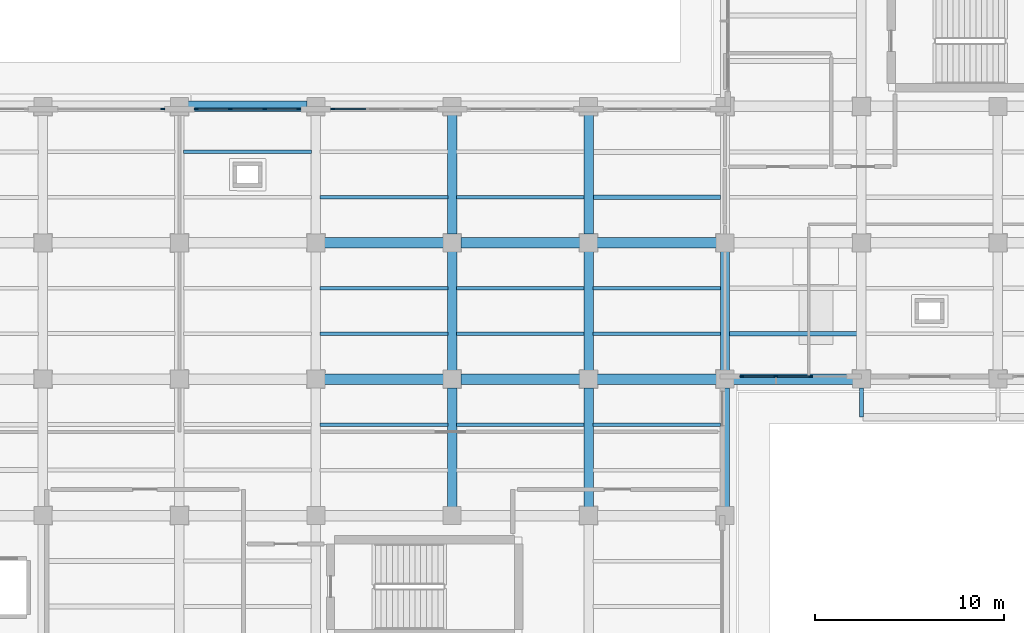
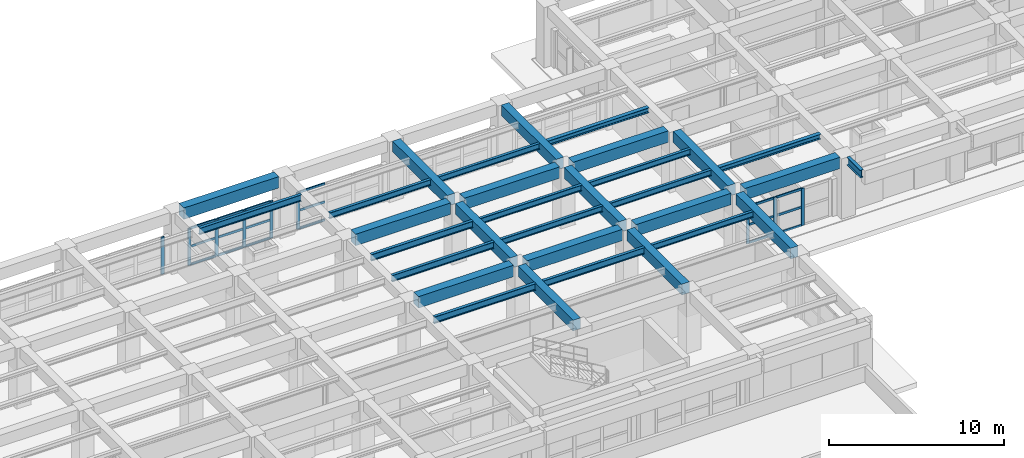
# One storey, part 15 of 64: 31 beams, 27 members, 4 elements without a shape of their own.
"""IFC4 building model written with IfcOpenShell, lengths in metres."""

from ifc_helpers import new_model, si_unit, direction, frame, origin, origin_2d, place, context, subcontext, project, spatial, rectangle, i_section, extrude, material, layer, layer_set, material_profile, profile_set, type_object, element, aggregate, save


model = new_model("IFC4")

# Units and contexts
model_context = context("Model", 3, precision=1e-05, world=origin(), true_north=direction((0.0, 1.0)))
body_context = subcontext(model_context, "Body", "Model", "MODEL_VIEW")
ifc_project = project(units=[si_unit("LENGTHUNIT", "METRE"), si_unit("AREAUNIT", "SQUARE_METRE"), si_unit("VOLUMEUNIT", "CUBIC_METRE"), si_unit("PLANEANGLEUNIT", "RADIAN"), si_unit("MASSUNIT", "GRAM", prefix="KILO")], contexts=[model_context])

# Site, building, storey
site_placement = place(None, origin())
site = spatial("IfcSite", under=ifc_project, at=site_placement, CompositionType="ELEMENT")
building_placement = place(site_placement, origin())
building = spatial("IfcBuilding", under=site, at=building_placement, Name="Solenvale Faculty of Natural Sciences", CompositionType="ELEMENT")
storey_placement = place(building_placement, origin())
storey = spatial("IfcBuildingStorey", under=building, at=storey_placement, Name="L00", CompositionType="ELEMENT", Elevation=0.0)

# Beams
ifc_material_1 = material(Name="Concrete 40 MPa", Category="concrete")
ifc_material_profile_1 = material_profile(ifc_material_1, rectangle(XDim=0.5, YDim=0.75, at=origin_2d()), Name="RC-BM-500x750")
ifc_profile_set_1 = profile_set([ifc_material_profile_1], Name="Concrete 40 MPa")
beam_type_1 = type_object("IfcBeamType", Name="BM-RC-500x750", PredefinedType="BEAM", material=ifc_profile_set_1)
for number, where, z_axis, x_axis, name in (
    (1, (100.800048828125, 29.2548828125, 3.844970703125), (0.0, 1.0, 0.0), (-1.0, 0.0, 0.0), "L00 Y-Girder X100.8 (28.8..36.0)"),
    (2, (100.800048828125, 36.455078125, 3.844970703125), (0.0, 1.0, 0.0), (-1.0, 0.0, 0.0), "L00 Y-Girder X100.8 (36.0..43.2)"),
    (3, (100.800048828125, 43.655029296875, 3.844970703125), (0.0, 1.0, 0.0), (-1.0, 0.0, 0.0), "L00 Y-Girder X100.8 (43.2..50.4)"),
    (4, (108.0, 29.2548828125, 3.844970703125), (0.0, 1.0, 0.0), (-1.0, 0.0, 0.0), "L00 Y-Girder X108.0 (28.8..36.0)"),
    (5, (108.0, 36.455078125, 3.844970703125), (0.0, 1.0, 0.0), (-1.0, 0.0, 0.0), "L00 Y-Girder X108.0 (36.0..43.2)"),
    (6, (108.0, 43.655029296875, 3.844970703125), (0.0, 1.0, 0.0), (-1.0, 0.0, 0.0), "L00 Y-Girder X108.0 (43.2..50.4)"),
    (7, (115.199951171875, 29.2548828125, 3.844970703125), (0.0, 1.0, 0.0), (-1.0, 0.0, 0.0), "L00 Y-Girder X115.2 (28.8..36.0)"),
    (8, (115.199951171875, 36.455078125, 3.844970703125), (0.0, 1.0, 0.0), (-1.0, 0.0, 0.0), "L00 Y-Girder X115.2 (36.0..43.2)"),
):
    element("IfcBeam", number, at=place(storey_placement, frame(where, z_axis=z_axis, x_axis=x_axis)), inside=storey, type_object=beam_type_1, Name=name, PredefinedType="BEAM", context=body_context, shape_type="SweptSolid", body=[
        extrude(rectangle(XDim=0.5, YDim=0.75, at=origin_2d()), origin(), (0.0, 0.0, 1.0), 6.2900390625),
    ])
ifc_material_profile_2 = material_profile(ifc_material_1, rectangle(XDim=0.550048828125, YDim=0.800048828125, at=origin_2d()), Name="RC-BM-550x800")
ifc_profile_set_2 = profile_set([ifc_material_profile_2], Name="Concrete 40 MPa")
beam_type_2 = type_object("IfcBeamType", Name="BM-RC-550x800", PredefinedType="BEAM", material=ifc_profile_set_2)
for number, where, z_axis, x_axis, name in (
    (9, (94.054931640625, 36.0, 3.820068359375), (1.0, 0.0, 0.0), (0.0, 1.0, 0.0), "L00 X-Girder Y36.0 (93.6..100.8)"),
    (10, (101.2548828125, 36.0, 3.820068359375), (1.0, 0.0, 0.0), (0.0, 1.0, 0.0), "L00 X-Girder Y36.0 (100.8..108.0)"),
    (11, (108.455078125, 36.0, 3.820068359375), (1.0, 0.0, 0.0), (0.0, 1.0, 0.0), "L00 X-Girder Y36.0 (108.0..115.2)"),
    (12, (115.655029296875, 36.0, 3.820068359375), (1.0, 0.0, 0.0), (0.0, 1.0, 0.0), "L00 X-Girder Y36.0 (115.2..122.4)"),
    (13, (94.054931640625, 43.199951171875, 3.820068359375), (1.0, 0.0, 0.0), (0.0, 1.0, 0.0), "L00 X-Girder Y43.2 (93.6..100.8)"),
    (14, (101.2548828125, 43.199951171875, 3.820068359375), (1.0, 0.0, 0.0), (0.0, 1.0, 0.0), "L00 X-Girder Y43.2 (100.8..108.0)"),
    (15, (108.455078125, 43.199951171875, 3.820068359375), (1.0, 0.0, 0.0), (0.0, 1.0, 0.0), "L00 X-Girder Y43.2 (108.0..115.2)"),
    (16, (86.85498046875, 50.39990234375, 3.820068359375), (1.0, 0.0, 0.0), (0.0, 1.0, 0.0), "L00 X-Girder Y50.4 (86.4..93.6)"),
):
    element("IfcBeam", number, at=place(storey_placement, frame(where, z_axis=z_axis, x_axis=x_axis)), inside=storey, type_object=beam_type_2, Name=name, PredefinedType="BEAM", context=body_context, shape_type="SweptSolid", body=[
        extrude(rectangle(XDim=0.550048828125, YDim=0.800048828125, at=origin_2d()), origin(), (0.0, 0.0, 1.0), 6.2900390625),
    ])
ifc_material_2 = material(Name="Steel S355", Category="steel")
ifc_material_profile_3 = material_profile(ifc_material_2, i_section(OverallWidth=0.2548828125, OverallDepth=0.35693359375, WebThickness=0.010498046875, FlangeThickness=0.018310546875, FilletRadius=0.014892578125, at=origin_2d()), Name="W360x101")
ifc_profile_set_3 = profile_set([ifc_material_profile_3], Name="Steel S355")
beam_type_3 = type_object("IfcBeamType", Name="BM-STL-W360x101", PredefinedType="JOIST", material=ifc_profile_set_3)
for number, where, z_axis, x_axis, name in (
    (17, (108.22998046875, 45.60009765625, 4.04150390625), (1.0, 0.0, 0.0), (0.0, 1.0, 0.0), "L00 Composite Floor Joist (16,7).1"),
    (18, (115.429931640625, 38.39990234375, 4.04150390625), (1.0, 0.0, 0.0), (0.0, 1.0, 0.0), "L00 Composite Floor Joist (17,6).1"),
):
    element("IfcBeam", number, at=place(storey_placement, frame(where, z_axis=z_axis, x_axis=x_axis)), inside=storey, type_object=beam_type_3, Name=name, PredefinedType="JOIST", context=body_context, shape_type="SweptSolid", body=[
        extrude(i_section(OverallWidth=0.2548828125, OverallDepth=0.35693359375, WebThickness=0.010498046875, FlangeThickness=0.018310546875, FilletRadius=0.014892578125, at=origin_2d()), origin(), (0.0, 0.0, 1.0), 6.739990234375),
    ])
ifc_material_profile_4 = material_profile(ifc_material_2, i_section(OverallWidth=0.178955078125, OverallDepth=0.409912109375, WebThickness=0.0087890625, FlangeThickness=0.014404296875, FilletRadius=0.01611328125, at=origin_2d()), Name="W410x67")
ifc_profile_set_4 = profile_set([ifc_material_profile_4], Name="Steel S355")
beam_type_4 = type_object("IfcBeamType", Name="BM-STL-W410x67", PredefinedType="JOIST", material=ifc_profile_set_4)
for number, where, z_axis, x_axis, name in (
    (19, (101.030029296875, 45.60009765625, 4.014892578125), (1.0, 0.0, 0.0), (0.0, 1.0, 0.0), "L00 Composite Floor Joist (15,7).1"),
    (20, (108.22998046875, 38.39990234375, 4.014892578125), (1.0, 0.0, 0.0), (0.0, 1.0, 0.0), "L00 Composite Floor Joist (16,6).1"),
    (21, (108.22998046875, 40.800048828125, 4.014892578125), (1.0, 0.0, 0.0), (0.0, 1.0, 0.0), "L00 Composite Floor Joist (16,6).2"),
):
    element("IfcBeam", number, at=place(storey_placement, frame(where, z_axis=z_axis, x_axis=x_axis)), inside=storey, type_object=beam_type_4, Name=name, PredefinedType="JOIST", context=body_context, shape_type="SweptSolid", body=[
        extrude(i_section(OverallWidth=0.178955078125, OverallDepth=0.409912109375, WebThickness=0.0087890625, FlangeThickness=0.014404296875, FilletRadius=0.01611328125, at=origin_2d()), origin(), (0.0, 0.0, 1.0), 6.739990234375),
    ])
ifc_material_profile_5 = material_profile(ifc_material_2, i_section(OverallWidth=0.180908203125, OverallDepth=0.4169921875, WebThickness=0.010986328125, FlangeThickness=0.018310546875, FilletRadius=0.01611328125, at=origin_2d()), Name="W410x85")
ifc_profile_set_5 = profile_set([ifc_material_profile_5], Name="Steel S355")
beam_type_5 = type_object("IfcBeamType", Name="BM-STL-W410x85", PredefinedType="JOIST", material=ifc_profile_set_5)
for number, where, z_axis, x_axis, name in (
    (22, (93.830078125, 45.60009765625, 4.011474609375), (1.0, 0.0, 0.0), (0.0, 1.0, 0.0), "L00 Composite Floor Joist (14,7).1"),
    (23, (101.030029296875, 38.39990234375, 4.011474609375), (1.0, 0.0, 0.0), (0.0, 1.0, 0.0), "L00 Composite Floor Joist (15,6).1"),
    (24, (101.030029296875, 40.800048828125, 4.011474609375), (1.0, 0.0, 0.0), (0.0, 1.0, 0.0), "L00 Composite Floor Joist (15,6).2"),
    (25, (108.22998046875, 33.60009765625, 4.011474609375), (1.0, 0.0, 0.0), (0.0, 1.0, 0.0), "L00 Composite Floor Joist (16,5).2"),
):
    element("IfcBeam", number, at=place(storey_placement, frame(where, z_axis=z_axis, x_axis=x_axis)), inside=storey, type_object=beam_type_5, Name=name, PredefinedType="JOIST", context=body_context, shape_type="SweptSolid", body=[
        extrude(i_section(OverallWidth=0.180908203125, OverallDepth=0.4169921875, WebThickness=0.010986328125, FlangeThickness=0.018310546875, FilletRadius=0.01611328125, at=origin_2d()), origin(), (0.0, 0.0, 1.0), 6.739990234375),
    ])
ifc_material_profile_6 = material_profile(ifc_material_2, i_section(OverallWidth=0.194091796875, OverallDepth=0.468994140625, WebThickness=0.0126953125, FlangeThickness=0.0205078125, FilletRadius=0.01806640625, at=origin_2d()), Name="W460x106")
ifc_profile_set_6 = profile_set([ifc_material_profile_6], Name="Steel S355")
beam_type_6 = type_object("IfcBeamType", Name="BM-STL-W460x106", PredefinedType="JOIST", material=ifc_profile_set_6)
beam_1_placement = place(storey_placement, frame((93.830078125, 33.60009765625, 3.985595703125), z_axis=(1.0, 0.0, 0.0), x_axis=(0.0, 1.0, 0.0)))
element("IfcBeam", 26, at=beam_1_placement, inside=storey, type_object=beam_type_6, Name="L00 Composite Floor Joist (14,5).2", PredefinedType="JOIST", context=body_context, shape_type="SweptSolid", body=[
    extrude(i_section(OverallWidth=0.194091796875, OverallDepth=0.468994140625, WebThickness=0.0126953125, FlangeThickness=0.0205078125, FilletRadius=0.01806640625, at=origin_2d()), origin(), (0.0, 0.0, 1.0), 6.739990234375),
])
ifc_material_profile_7 = material_profile(ifc_material_2, i_section(OverallWidth=0.19091796875, OverallDepth=0.4599609375, WebThickness=0.010009765625, FlangeThickness=0.01611328125, FilletRadius=0.01806640625, at=origin_2d()), Name="W460x82")
ifc_profile_set_7 = profile_set([ifc_material_profile_7], Name="Steel S355")
beam_type_7 = type_object("IfcBeamType", Name="BM-STL-W460x82", PredefinedType="JOIST", material=ifc_profile_set_7)
beam_2_placement = place(storey_placement, frame((86.6298828125, 48.0, 3.989990234375), z_axis=(1.0, 0.0, 0.0), x_axis=(0.0, 1.0, 0.0)))
element("IfcBeam", 27, at=beam_2_placement, inside=storey, type_object=beam_type_7, Name="L00 Composite Floor Joist (13,7).2", PredefinedType="JOIST", context=body_context, shape_type="SweptSolid", body=[
    extrude(i_section(OverallWidth=0.19091796875, OverallDepth=0.4599609375, WebThickness=0.010009765625, FlangeThickness=0.01611328125, FilletRadius=0.01806640625, at=origin_2d()), origin(), (0.0, 0.0, 1.0), 6.740234375),
])
for number, where, z_axis, x_axis, name in (
    (28, (93.830078125, 38.39990234375, 3.989990234375), (1.0, 0.0, 0.0), (0.0, 1.0, 0.0), "L00 Composite Floor Joist (14,6).1"),
    (29, (93.830078125, 40.800048828125, 3.989990234375), (1.0, 0.0, 0.0), (0.0, 1.0, 0.0), "L00 Composite Floor Joist (14,6).2"),
    (30, (101.030029296875, 33.60009765625, 3.989990234375), (1.0, 0.0, 0.0), (0.0, 1.0, 0.0), "L00 Composite Floor Joist (15,5).2"),
):
    element("IfcBeam", number, at=place(storey_placement, frame(where, z_axis=z_axis, x_axis=x_axis)), inside=storey, type_object=beam_type_7, Name=name, PredefinedType="JOIST", context=body_context, shape_type="SweptSolid", body=[
        extrude(i_section(OverallWidth=0.19091796875, OverallDepth=0.4599609375, WebThickness=0.010009765625, FlangeThickness=0.01611328125, FilletRadius=0.01806640625, at=origin_2d()), origin(), (0.0, 0.0, 1.0), 6.739990234375),
    ])
ifc_material_profile_8 = material_profile(ifc_material_2, i_section(OverallWidth=0.2119140625, OverallDepth=0.5439453125, WebThickness=0.01318359375, FlangeThickness=0.021240234375, FilletRadius=0.01904296875, at=origin_2d()), Name="W530x123")
ifc_profile_set_8 = profile_set([ifc_material_profile_8], Name="Steel S355")
beam_type_8 = type_object("IfcBeamType", Name="BM-STL-W530x123", PredefinedType="BEAM", material=ifc_profile_set_8)
beam_3_placement = place(storey_placement, frame((122.39990234375, 35.544921875, 3.947998046875), z_axis=(0.0, -1.0, 0.0), x_axis=(1.0, 0.0, 0.0)))
element("IfcBeam", 31, at=beam_3_placement, inside=storey, type_object=beam_type_8, Name="L00 V2 Cantilever Tray Girder X122.4", PredefinedType="BEAM", context=body_context, shape_type="SweptSolid", body=[
    extrude(i_section(OverallWidth=0.2119140625, OverallDepth=0.5439453125, WebThickness=0.01318359375, FlangeThickness=0.021240234375, FilletRadius=0.01904296875, at=origin_2d()), origin(), (0.0, 0.0, 1.0), 1.544921875),
])

# Curtain wall, members
ifc_material_3 = material(Name="Anodised bronze aluminium", Category="aluminium")
ifc_layer_1 = layer(ifc_material_3, 0.199951171875)
ifc_layer_set_1 = layer_set([ifc_layer_1], Name="Anodised bronze aluminium")
curtain_wall_type_1 = type_object("IfcCurtainWallType", Name="CW-COM-FIN", PredefinedType="USERDEFINED", material=ifc_layer_set_1)
curtain_wall_1_placement = place(storey_placement, origin())
curtain_wall_1 = element("IfcCurtainWall", 32, at=curtain_wall_1_placement, inside=storey, type_object=curtain_wall_type_1, Name="L00 Curtain Wall CW-L00-P1-E5-B1", ObjectType="UNITISED CURTAIN WALL", PredefinedType="USERDEFINED")
ifc_material_profile_9 = material_profile(ifc_material_3, rectangle(XDim=0.074951171875, YDim=0.2099609375, at=origin_2d()), Name="ALU-MUL-75x210")
ifc_profile_set_9 = profile_set([ifc_material_profile_9], Name="Anodised bronze aluminium")
member_type_1 = type_object("IfcMemberType", Name="CWM-ALU-75x210", PredefinedType="MULLION", material=ifc_profile_set_9)
member_1_placement = place(storey_placement, frame((116.08740234375, 36.142578125, 0.0), z_axis=(0.0, 0.0, 1.0), x_axis=(0.0, 1.0, 0.0)))
member_1 = element("IfcMember", 33, at=member_1_placement, type_object=member_type_1, Name="CW-03 mullion 1", PredefinedType="MULLION", context=body_context, shape_type="SweptSolid", body=[
    extrude(rectangle(XDim=0.074951171875, YDim=0.2099609375, at=origin_2d()), origin(), (0.0, 0.0, 1.0), 2.60009765625),
])
member_2_placement = place(storey_placement, frame((117.88330078125, 36.142578125, 0.0), z_axis=(0.0, 0.0, 1.0), x_axis=(0.0, 1.0, 0.0)))
member_2 = element("IfcMember", 34, at=member_2_placement, type_object=member_type_1, Name="CW-03 mullion 2", PredefinedType="MULLION", context=body_context, shape_type="SweptSolid", body=[
    extrude(rectangle(XDim=0.074951171875, YDim=0.2099609375, at=origin_2d()), origin(), (0.0, 0.0, 1.0), 2.60009765625),
])
member_3_placement = place(storey_placement, frame((119.716552734375, 36.142578125, 0.0), z_axis=(0.0, 0.0, 1.0), x_axis=(0.0, 1.0, 0.0)))
member_3 = element("IfcMember", 35, at=member_3_placement, type_object=member_type_1, Name="CW-03 mullion 3", PredefinedType="MULLION", context=body_context, shape_type="SweptSolid", body=[
    extrude(rectangle(XDim=0.074951171875, YDim=0.2099609375, at=origin_2d()), origin(), (0.0, 0.0, 1.0), 2.60009765625),
])

# Curtain wall, member
ifc_layer_2 = layer(ifc_material_3, 0.179931640625)
ifc_layer_set_2 = layer_set([ifc_layer_2], Name="Anodised bronze aluminium")
curtain_wall_type_2 = type_object("IfcCurtainWallType", Name="CW-TWR-MOD", PredefinedType="USERDEFINED", material=ifc_layer_set_2)
curtain_wall_2_placement = place(storey_placement, origin())
curtain_wall_2 = element("IfcCurtainWall", 36, at=curtain_wall_2_placement, inside=storey, type_object=curtain_wall_type_2, Name="L00 Curtain Wall CW-L00-P1-E9-B3", ObjectType="UNITISED CURTAIN WALL", PredefinedType="USERDEFINED")
member_4_placement = place(storey_placement, frame((94.487548828125, 50.257568359375, 0.0), z_axis=(0.0, 0.0, 1.0), x_axis=(0.0, -1.0, 0.0)))
member_4 = element("IfcMember", 37, at=member_4_placement, type_object=member_type_1, Name="CW-04 mullion 4", PredefinedType="MULLION", context=body_context, shape_type="SweptSolid", body=[
    extrude(rectangle(XDim=0.074951171875, YDim=0.2099609375, at=origin_2d()), origin(), (0.0, 0.0, 1.0), 2.60009765625),
])

# Curtain wall, members
curtain_wall_3_placement = place(storey_placement, origin())
curtain_wall_3 = element("IfcCurtainWall", 38, at=curtain_wall_3_placement, inside=storey, type_object=curtain_wall_type_2, Name="L00 Curtain Wall CW-L00-P1-E9-B4", ObjectType="UNITISED CURTAIN WALL", PredefinedType="USERDEFINED")
member_5_placement = place(storey_placement, frame((92.71240234375, 50.257568359375, 0.0), z_axis=(0.0, 0.0, 1.0), x_axis=(0.0, -1.0, 0.0)))
member_5 = element("IfcMember", 39, at=member_5_placement, type_object=member_type_1, Name="CW-04 mullion 1", PredefinedType="MULLION", context=body_context, shape_type="SweptSolid", body=[
    extrude(rectangle(XDim=0.074951171875, YDim=0.2099609375, at=origin_2d()), origin(), (0.0, 0.0, 1.0), 2.60009765625),
])
member_6_placement = place(storey_placement, frame((90.916748046875, 50.257568359375, 0.0), z_axis=(0.0, 0.0, 1.0), x_axis=(0.0, -1.0, 0.0)))
member_6 = element("IfcMember", 40, at=member_6_placement, type_object=member_type_1, Name="CW-04 mullion 2", PredefinedType="MULLION", context=body_context, shape_type="SweptSolid", body=[
    extrude(rectangle(XDim=0.074951171875, YDim=0.2099609375, at=origin_2d()), origin(), (0.0, 0.0, 1.0), 2.60009765625),
])
member_7_placement = place(storey_placement, frame((89.083251953125, 50.257568359375, 0.0), z_axis=(0.0, 0.0, 1.0), x_axis=(0.0, -1.0, 0.0)))
member_7 = element("IfcMember", 41, at=member_7_placement, type_object=member_type_1, Name="CW-04 mullion 3", PredefinedType="MULLION", context=body_context, shape_type="SweptSolid", body=[
    extrude(rectangle(XDim=0.074951171875, YDim=0.2099609375, at=origin_2d()), origin(), (0.0, 0.0, 1.0), 2.60009765625),
])
member_8_placement = place(storey_placement, frame((87.28759765625, 50.257568359375, 0.0), z_axis=(0.0, 0.0, 1.0), x_axis=(0.0, -1.0, 0.0)))
member_8 = element("IfcMember", 42, at=member_8_placement, type_object=member_type_1, Name="CW-04 mullion 4", PredefinedType="MULLION", context=body_context, shape_type="SweptSolid", body=[
    extrude(rectangle(XDim=0.074951171875, YDim=0.2099609375, at=origin_2d()), origin(), (0.0, 0.0, 1.0), 2.60009765625),
])

# Curtain wall, member
curtain_wall_4_placement = place(storey_placement, origin())
curtain_wall_4 = element("IfcCurtainWall", 43, at=curtain_wall_4_placement, inside=storey, type_object=curtain_wall_type_2, Name="L00 Curtain Wall CW-L00-P1-E9-B5", ObjectType="UNITISED CURTAIN WALL", PredefinedType="USERDEFINED")
member_9_placement = place(storey_placement, frame((85.512451171875, 50.257568359375, 0.0), z_axis=(0.0, 0.0, 1.0), x_axis=(0.0, -1.0, 0.0)))
member_9 = element("IfcMember", 44, at=member_9_placement, type_object=member_type_1, Name="CW-04 mullion 1", PredefinedType="MULLION", context=body_context, shape_type="SweptSolid", body=[
    extrude(rectangle(XDim=0.074951171875, YDim=0.2099609375, at=origin_2d()), origin(), (0.0, 0.0, 1.0), 2.60009765625),
])
aggregate(curtain_wall_4, [member_9])

# Member
ifc_material_profile_10 = material_profile(ifc_material_3, rectangle(XDim=0.074951171875, YDim=0.155029296875, at=origin_2d()), Name="ALU-TRN-75x155")
ifc_profile_set_10 = profile_set([ifc_material_profile_10], Name="Anodised bronze aluminium")
member_type_2 = type_object("IfcMemberType", Name="CWT-ALU-75x155", PredefinedType="USERDEFINED", material=ifc_profile_set_10)
member_10_placement = place(storey_placement, frame((116.125, 36.142578125, 0.03759765625), z_axis=(1.0, 0.0, 0.0), x_axis=(0.0, 1.0, 0.0)))
member_10 = element("IfcMember", 45, at=member_10_placement, type_object=member_type_2, Name="CW-03 transom 1.1", ObjectType="TRANSOM", PredefinedType="USERDEFINED", context=body_context, shape_type="SweptSolid", body=[
    extrude(rectangle(XDim=0.074951171875, YDim=0.155029296875, at=origin_2d()), origin(), (0.0, 0.0, 1.0), 1.720947265625),
])

member_11_placement = place(storey_placement, frame((116.125, 36.142578125, 1.300048828125), z_axis=(1.0, 0.0, 0.0), x_axis=(0.0, 1.0, 0.0)))
member_11 = element("IfcMember", 46, at=member_11_placement, type_object=member_type_2, Name="CW-03 transom 1.2", ObjectType="TRANSOM", PredefinedType="USERDEFINED", context=body_context, shape_type="SweptSolid", body=[
    extrude(rectangle(XDim=0.074951171875, YDim=0.155029296875, at=origin_2d()), origin(), (0.0, 0.0, 1.0), 1.720947265625),
])

member_12_placement = place(storey_placement, frame((116.125, 36.142578125, 2.5625), z_axis=(1.0, 0.0, 0.0), x_axis=(0.0, 1.0, 0.0)))
member_12 = element("IfcMember", 47, at=member_12_placement, type_object=member_type_2, Name="CW-03 transom 1.3", ObjectType="TRANSOM", PredefinedType="USERDEFINED", context=body_context, shape_type="SweptSolid", body=[
    extrude(rectangle(XDim=0.074951171875, YDim=0.155029296875, at=origin_2d()), origin(), (0.0, 0.0, 1.0), 1.720947265625),
])

member_13_placement = place(storey_placement, frame((117.9208984375, 36.142578125, 0.03759765625), z_axis=(1.0, 0.0, 0.0), x_axis=(0.0, 1.0, 0.0)))
member_13 = element("IfcMember", 48, at=member_13_placement, type_object=member_type_2, Name="CW-03 transom 2.1", ObjectType="TRANSOM", PredefinedType="USERDEFINED", context=body_context, shape_type="SweptSolid", body=[
    extrude(rectangle(XDim=0.074951171875, YDim=0.155029296875, at=origin_2d()), origin(), (0.0, 0.0, 1.0), 1.75830078125),
])

member_14_placement = place(storey_placement, frame((117.9208984375, 36.142578125, 1.300048828125), z_axis=(1.0, 0.0, 0.0), x_axis=(0.0, 1.0, 0.0)))
member_14 = element("IfcMember", 49, at=member_14_placement, type_object=member_type_2, Name="CW-03 transom 2.2", ObjectType="TRANSOM", PredefinedType="USERDEFINED", context=body_context, shape_type="SweptSolid", body=[
    extrude(rectangle(XDim=0.074951171875, YDim=0.155029296875, at=origin_2d()), origin(), (0.0, 0.0, 1.0), 1.75830078125),
])

member_15_placement = place(storey_placement, frame((117.9208984375, 36.142578125, 2.5625), z_axis=(1.0, 0.0, 0.0), x_axis=(0.0, 1.0, 0.0)))
member_15 = element("IfcMember", 50, at=member_15_placement, type_object=member_type_2, Name="CW-03 transom 2.3", ObjectType="TRANSOM", PredefinedType="USERDEFINED", context=body_context, shape_type="SweptSolid", body=[
    extrude(rectangle(XDim=0.074951171875, YDim=0.155029296875, at=origin_2d()), origin(), (0.0, 0.0, 1.0), 1.75830078125),
])

aggregate(curtain_wall_1, [member_1, member_2, member_3, member_10, member_11, member_12, member_13, member_14, member_15])

member_16_placement = place(storey_placement, frame((96.245849609375, 50.257568359375, 0.03759765625), z_axis=(-1.0, 0.0, 0.0), x_axis=(0.0, -1.0, 0.0)))
member_16 = element("IfcMember", 51, at=member_16_placement, type_object=member_type_2, Name="CW-04 transom 3.1", ObjectType="TRANSOM", PredefinedType="USERDEFINED", context=body_context, shape_type="SweptSolid", body=[
    extrude(rectangle(XDim=0.074951171875, YDim=0.155029296875, at=origin_2d()), origin(), (0.0, 0.0, 1.0), 1.720947265625),
])

member_17_placement = place(storey_placement, frame((96.245849609375, 50.257568359375, 1.300048828125), z_axis=(-1.0, 0.0, 0.0), x_axis=(0.0, -1.0, 0.0)))
member_17 = element("IfcMember", 52, at=member_17_placement, type_object=member_type_2, Name="CW-04 transom 3.2", ObjectType="TRANSOM", PredefinedType="USERDEFINED", context=body_context, shape_type="SweptSolid", body=[
    extrude(rectangle(XDim=0.074951171875, YDim=0.155029296875, at=origin_2d()), origin(), (0.0, 0.0, 1.0), 1.720947265625),
])

member_18_placement = place(storey_placement, frame((96.245849609375, 50.257568359375, 2.5625), z_axis=(-1.0, 0.0, 0.0), x_axis=(0.0, -1.0, 0.0)))
member_18 = element("IfcMember", 53, at=member_18_placement, type_object=member_type_2, Name="CW-04 transom 3.3", ObjectType="TRANSOM", PredefinedType="USERDEFINED", context=body_context, shape_type="SweptSolid", body=[
    extrude(rectangle(XDim=0.074951171875, YDim=0.155029296875, at=origin_2d()), origin(), (0.0, 0.0, 1.0), 1.720947265625),
])

aggregate(curtain_wall_2, [member_4, member_16, member_17, member_18])

member_19_placement = place(storey_placement, frame((92.675048828125, 50.257568359375, 0.03759765625), z_axis=(-1.0, 0.0, 0.0), x_axis=(0.0, -1.0, 0.0)))
member_19 = element("IfcMember", 54, at=member_19_placement, type_object=member_type_2, Name="CW-04 transom 1.1", ObjectType="TRANSOM", PredefinedType="USERDEFINED", context=body_context, shape_type="SweptSolid", body=[
    extrude(rectangle(XDim=0.074951171875, YDim=0.155029296875, at=origin_2d()), origin(), (0.0, 0.0, 1.0), 1.720947265625),
])

member_20_placement = place(storey_placement, frame((92.675048828125, 50.257568359375, 1.300048828125), z_axis=(-1.0, 0.0, 0.0), x_axis=(0.0, -1.0, 0.0)))
member_20 = element("IfcMember", 55, at=member_20_placement, type_object=member_type_2, Name="CW-04 transom 1.2", ObjectType="TRANSOM", PredefinedType="USERDEFINED", context=body_context, shape_type="SweptSolid", body=[
    extrude(rectangle(XDim=0.074951171875, YDim=0.155029296875, at=origin_2d()), origin(), (0.0, 0.0, 1.0), 1.720947265625),
])

member_21_placement = place(storey_placement, frame((92.675048828125, 50.257568359375, 2.5625), z_axis=(-1.0, 0.0, 0.0), x_axis=(0.0, -1.0, 0.0)))
member_21 = element("IfcMember", 56, at=member_21_placement, type_object=member_type_2, Name="CW-04 transom 1.3", ObjectType="TRANSOM", PredefinedType="USERDEFINED", context=body_context, shape_type="SweptSolid", body=[
    extrude(rectangle(XDim=0.074951171875, YDim=0.155029296875, at=origin_2d()), origin(), (0.0, 0.0, 1.0), 1.720947265625),
])

member_22_placement = place(storey_placement, frame((90.879150390625, 50.257568359375, 0.03759765625), z_axis=(-1.0, 0.0, 0.0), x_axis=(0.0, -1.0, 0.0)))
member_22 = element("IfcMember", 57, at=member_22_placement, type_object=member_type_2, Name="CW-04 transom 2.1", ObjectType="TRANSOM", PredefinedType="USERDEFINED", context=body_context, shape_type="SweptSolid", body=[
    extrude(rectangle(XDim=0.074951171875, YDim=0.155029296875, at=origin_2d()), origin(), (0.0, 0.0, 1.0), 1.75830078125),
])

member_23_placement = place(storey_placement, frame((90.879150390625, 50.257568359375, 1.300048828125), z_axis=(-1.0, 0.0, 0.0), x_axis=(0.0, -1.0, 0.0)))
member_23 = element("IfcMember", 58, at=member_23_placement, type_object=member_type_2, Name="CW-04 transom 2.2", ObjectType="TRANSOM", PredefinedType="USERDEFINED", context=body_context, shape_type="SweptSolid", body=[
    extrude(rectangle(XDim=0.074951171875, YDim=0.155029296875, at=origin_2d()), origin(), (0.0, 0.0, 1.0), 1.75830078125),
])

member_24_placement = place(storey_placement, frame((90.879150390625, 50.257568359375, 2.5625), z_axis=(-1.0, 0.0, 0.0), x_axis=(0.0, -1.0, 0.0)))
member_24 = element("IfcMember", 59, at=member_24_placement, type_object=member_type_2, Name="CW-04 transom 2.3", ObjectType="TRANSOM", PredefinedType="USERDEFINED", context=body_context, shape_type="SweptSolid", body=[
    extrude(rectangle(XDim=0.074951171875, YDim=0.155029296875, at=origin_2d()), origin(), (0.0, 0.0, 1.0), 1.75830078125),
])

member_25_placement = place(storey_placement, frame((89.0458984375, 50.257568359375, 0.03759765625), z_axis=(-1.0, 0.0, 0.0), x_axis=(0.0, -1.0, 0.0)))
member_25 = element("IfcMember", 60, at=member_25_placement, type_object=member_type_2, Name="CW-04 transom 3.1", ObjectType="TRANSOM", PredefinedType="USERDEFINED", context=body_context, shape_type="SweptSolid", body=[
    extrude(rectangle(XDim=0.074951171875, YDim=0.155029296875, at=origin_2d()), origin(), (0.0, 0.0, 1.0), 1.720947265625),
])

member_26_placement = place(storey_placement, frame((89.0458984375, 50.257568359375, 1.300048828125), z_axis=(-1.0, 0.0, 0.0), x_axis=(0.0, -1.0, 0.0)))
member_26 = element("IfcMember", 61, at=member_26_placement, type_object=member_type_2, Name="CW-04 transom 3.2", ObjectType="TRANSOM", PredefinedType="USERDEFINED", context=body_context, shape_type="SweptSolid", body=[
    extrude(rectangle(XDim=0.074951171875, YDim=0.155029296875, at=origin_2d()), origin(), (0.0, 0.0, 1.0), 1.720947265625),
])

member_27_placement = place(storey_placement, frame((89.0458984375, 50.257568359375, 2.5625), z_axis=(-1.0, 0.0, 0.0), x_axis=(0.0, -1.0, 0.0)))
member_27 = element("IfcMember", 62, at=member_27_placement, type_object=member_type_2, Name="CW-04 transom 3.3", ObjectType="TRANSOM", PredefinedType="USERDEFINED", context=body_context, shape_type="SweptSolid", body=[
    extrude(rectangle(XDim=0.074951171875, YDim=0.155029296875, at=origin_2d()), origin(), (0.0, 0.0, 1.0), 1.720947265625),
])

aggregate(curtain_wall_3, [member_5, member_6, member_7, member_8, member_19, member_20, member_21, member_22, member_23, member_24, member_25, member_26, member_27])

save(model, "model.ifc")
